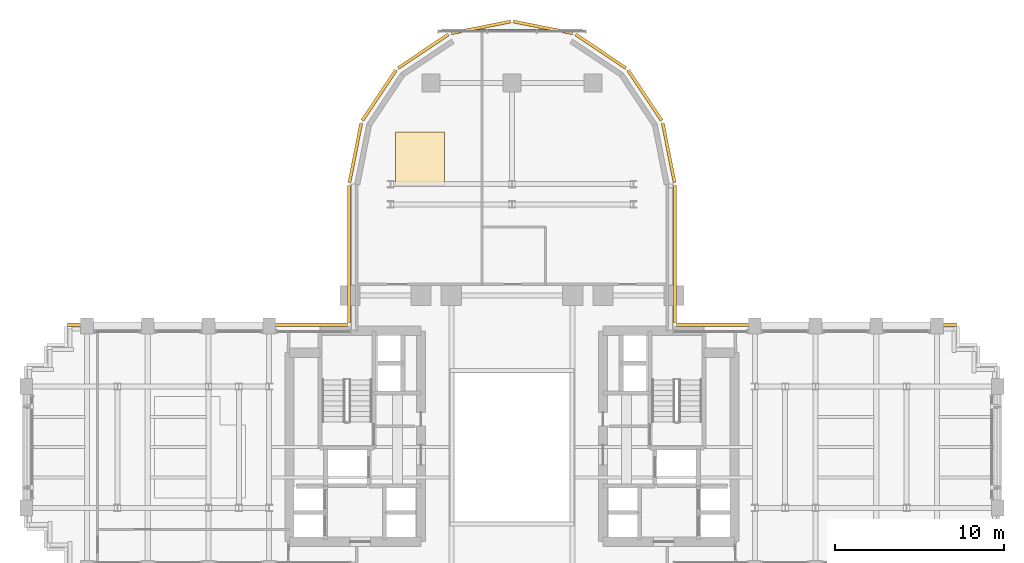
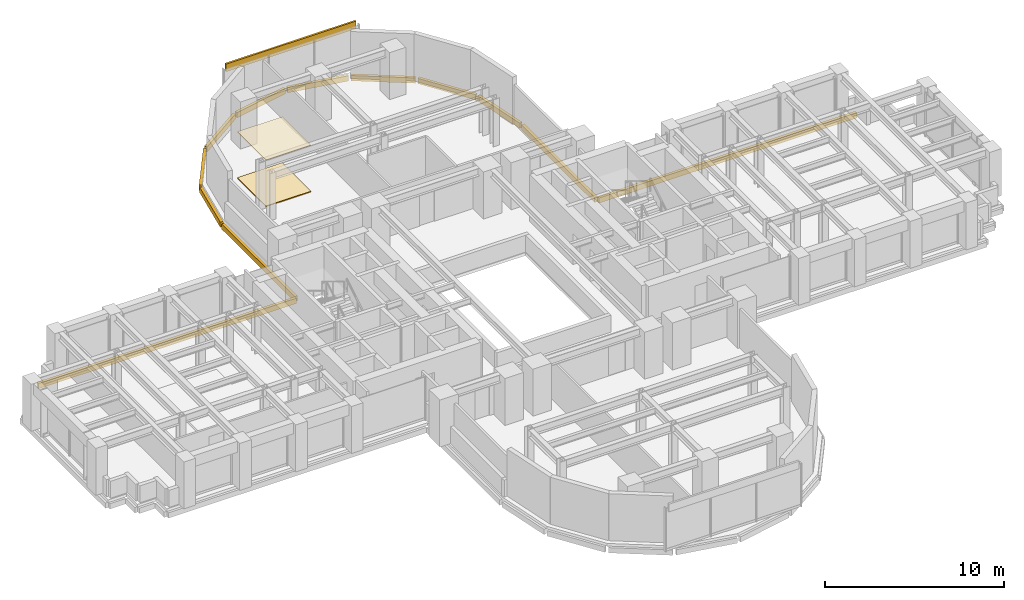
# One storey, part 16 of 16: 15 coverings.
"""IFC4 building model written with IfcOpenShell, lengths in metres."""

from ifc_helpers import new_model, si_unit, direction, frame, origin, origin_2d, place, context, subcontext, project, spatial, rectangle, extrude, source, transform, mapped, material, layer, layer_set, type_object, element, save


model = new_model("IFC4")

# Units and contexts
model_context = context("Model", 3, precision=1e-05, world=origin(), true_north=direction((0.0, 1.0)))
body_context = subcontext(model_context, "Body", "Model", "MODEL_VIEW")
ifc_project = project(units=[si_unit("LENGTHUNIT", "METRE"), si_unit("AREAUNIT", "SQUARE_METRE"), si_unit("VOLUMEUNIT", "CUBIC_METRE"), si_unit("PLANEANGLEUNIT", "RADIAN"), si_unit("MASSUNIT", "GRAM", prefix="KILO")], contexts=[model_context])

# Site, building, storey
site_placement = place(None, origin())
site = spatial("IfcSite", under=ifc_project, at=site_placement, CompositionType="ELEMENT")
building_placement = place(site_placement, origin())
building = spatial("IfcBuilding", under=site, at=building_placement, Name="Keilestroom Media Tower", CompositionType="ELEMENT")
storey_placement = place(building_placement, frame((0.0, 0.0, 30.60009765625)))
storey = spatial("IfcBuildingStorey", under=building, at=storey_placement, Name="L06", CompositionType="ELEMENT", Elevation=30.60009765625)

# Coverings
ifc_material_1 = material(Name="Precast concrete C40/50", Category="concrete")
ifc_layer_1 = layer(ifc_material_1, 0.1201171875)
ifc_layer_set_1 = layer_set([ifc_layer_1], Name="Precast concrete C40/50")
covering_type_1 = type_object("IfcCoveringType", Name="Exterior-Precast-Spandrel-Cladding-Panel-120", PredefinedType="CLADDING", material=ifc_layer_set_1)
shared_shape_1 = source(origin(), body_context, "Body", "SweptSolid", [
    extrude(rectangle(XDim=8.39990234375, YDim=0.1201171875, at=origin_2d()), origin(), (0.0, 0.0, 1.0), 0.52001953125),
])
covering_1_placement = place(storey_placement, frame((0.0, 24.719970703125, 2.68994140625), z_axis=(0.0, 0.0, 1.0), x_axis=(1.0, 0.0, 0.0)))
element("IfcCovering", 1, at=covering_1_placement, inside=storey, type_object=covering_type_1, Name="L06 Precast Spandrel Cladding N", PredefinedType="CLADDING", context=body_context, shape_type="MappedRepresentation", body=[
    mapped(shared_shape_1, transform((0.0, 0.0, 0.0), x_axis=(1.0, 0.0, 0.0), y_axis=(0.0, 1.0, 0.0), z_axis=(0.0, 0.0, 1.0), scale=1.0)),
])
shared_shape_2 = source(origin(), body_context, "Body", "SweptSolid", [
    extrude(rectangle(XDim=16.6201171875, YDim=0.179931640625, at=origin_2d()), origin(), (0.0, 0.0, 1.0), 0.360107421875),
])
for number, where, z_axis, x_axis, name in (
    (2, (-18.06005859375, 7.260009765625, -0.5400390625), (0.0, 0.0, 1.0), (1.0, 0.0, 0.0), "L06 Precast Slab-Edge Fascia Cornice 26"),
    (3, (18.06005859375, 7.260009765625, -0.5400390625), (0.0, 0.0, 1.0), (1.0, 0.0, 0.0), "L06 Precast Slab-Edge Fascia Cornice 37"),
):
    element("IfcCovering", number, at=place(storey_placement, frame(where, z_axis=z_axis, x_axis=x_axis)), inside=storey, type_object=covering_type_1, Name=name, PredefinedType="CLADDING", context=body_context, shape_type="MappedRepresentation", body=[
        mapped(shared_shape_2, transform((0.0, 0.0, 0.0), x_axis=(1.0, 0.0, 0.0), y_axis=(0.0, 1.0, 0.0), z_axis=(0.0, 0.0, 1.0), scale=1.0)),
    ])
shared_shape_3 = source(origin(), body_context, "Body", "SweptSolid", [
    extrude(rectangle(XDim=8.166015625, YDim=0.179931640625, at=origin_2d()), origin(), (0.0, 0.0, 1.0), 0.360107421875),
])
for number, where, z_axis, x_axis, name in (
    (4, (-9.659912109375, 11.43310546875, -0.5400390625), (0.0, 0.0, 1.0), (0.0, 1.0, 0.0), "L06 Precast Slab-Edge Fascia Cornice 27"),
    (5, (9.659912109375, 11.43310546875, -0.5400390625), (0.0, 0.0, 1.0), (0.0, -1.0, 0.0), "L06 Precast Slab-Edge Fascia Cornice 36"),
):
    element("IfcCovering", number, at=place(storey_placement, frame(where, z_axis=z_axis, x_axis=x_axis)), inside=storey, type_object=covering_type_1, Name=name, PredefinedType="CLADDING", context=body_context, shape_type="MappedRepresentation", body=[
        mapped(shared_shape_3, transform((0.0, 0.0, 0.0), x_axis=(1.0, 0.0, 0.0), y_axis=(0.0, 1.0, 0.0), z_axis=(0.0, 0.0, 1.0), scale=1.0)),
    ])
shared_shape_4 = source(origin(), body_context, "Body", "SweptSolid", [
    extrude(rectangle(XDim=3.58349609375, YDim=0.179931640625, at=origin_2d()), origin(), (0.0, 0.0, 1.0), 0.360107421875),
])
for number, where, z_axis, x_axis, name in (
    (6, (-9.29296875, 17.45166015625, -0.5400390625), (0.0, 0.0, 1.0), (0.195098880975, 0.980783577882, 0.0), "L06 Precast Slab-Edge Fascia Cornice 28"),
    (7, (9.29296875, 17.45166015625, -0.5400390625), (0.0, 0.0, 1.0), (0.195098880975, -0.980783577882, 0.0), "L06 Precast Slab-Edge Fascia Cornice 35"),
):
    element("IfcCovering", number, at=place(storey_placement, frame(where, z_axis=z_axis, x_axis=x_axis)), inside=storey, type_object=covering_type_1, Name=name, PredefinedType="CLADDING", context=body_context, shape_type="MappedRepresentation", body=[
        mapped(shared_shape_4, transform((0.0, 0.0, 0.0), x_axis=(1.0, 0.0, 0.0), y_axis=(0.0, 1.0, 0.0), z_axis=(0.0, 0.0, 1.0), scale=1.0)),
    ])
shared_shape_5 = source(origin(), body_context, "Body", "SweptSolid", [
    extrude(rectangle(XDim=3.589599609375, YDim=0.179931640625, at=origin_2d()), origin(), (0.0, 0.0, 1.0), 0.360107421875),
])
for number, where, z_axis, x_axis, name in (
    (8, (-7.878662109375, 20.8642578125, -0.5400390625), (0.0, 0.0, 1.0), (0.555574586577, 0.831466703332, 0.0), "L06 Precast Slab-Edge Fascia Cornice 29"),
    (9, (-5.264404296875, 23.478515625, -0.5400390625), (0.0, 0.0, 1.0), (0.831466703332, 0.555574586577, 0.0), "L06 Precast Slab-Edge Fascia Cornice 30"),
    (10, (-1.8486328125, 24.893310546875, -0.5400390625), (0.0, 0.0, 1.0), (0.980783577882, 0.195098880975, 0.0), "L06 Precast Slab-Edge Fascia Cornice 31"),
    (11, (1.8486328125, 24.893310546875, -0.5400390625), (0.0, 0.0, 1.0), (0.980783577882, -0.195098880975, 0.0), "L06 Precast Slab-Edge Fascia Cornice 32"),
    (12, (5.264404296875, 23.478515625, -0.5400390625), (0.0, 0.0, 1.0), (0.831466703332, -0.555574586577, 0.0), "L06 Precast Slab-Edge Fascia Cornice 33"),
    (13, (7.878662109375, 20.8642578125, -0.5400390625), (0.0, 0.0, 1.0), (0.555574586577, -0.831466703332, 0.0), "L06 Precast Slab-Edge Fascia Cornice 34"),
):
    element("IfcCovering", number, at=place(storey_placement, frame(where, z_axis=z_axis, x_axis=x_axis)), inside=storey, type_object=covering_type_1, Name=name, PredefinedType="CLADDING", context=body_context, shape_type="MappedRepresentation", body=[
        mapped(shared_shape_5, transform((0.0, 0.0, 0.0), x_axis=(1.0, 0.0, 0.0), y_axis=(0.0, 1.0, 0.0), z_axis=(0.0, 0.0, 1.0), scale=1.0)),
    ])
ifc_material_2 = material(Name="Mineral-Fibre Acoustic Ceiling Tile", Category="gypsum")
ifc_layer_2 = layer(ifc_material_2, 0.0400390625)
ifc_layer_set_2 = layer_set([ifc_layer_2], Name="Mineral-Fibre Acoustic Ceiling Tile")
covering_type_2 = type_object("IfcCoveringType", Name="Suspended-Acoustic-Ceiling-40", PredefinedType="CEILING", material=ifc_layer_set_2)
shared_shape_6 = source(origin(), body_context, "Body", "SweptSolid", [
    extrude(rectangle(XDim=2.904052734375, YDim=3.199951171875, at=origin_2d()), origin(), (0.0, 0.0, 1.0), 0.0400390625),
])
covering_2_placement = place(storey_placement, frame((-5.4599609375, 17.083984375, 3.159912109375), z_axis=(0.0, 0.0, 1.0), x_axis=(1.0, 0.0, 0.0)))
element("IfcCovering", 14, at=covering_2_placement, inside=storey, type_object=covering_type_2, Name="L06 Suspended Acoustic Ceiling 2", PredefinedType="CEILING", context=body_context, shape_type="MappedRepresentation", body=[
    mapped(shared_shape_6, transform((0.0, 0.0, 0.0), x_axis=(1.0, 0.0, 0.0), y_axis=(0.0, 1.0, 0.0), z_axis=(0.0, 0.0, 1.0), scale=1.0)),
])
ifc_material_3 = material(Name="Calcium-Sulphate Raised Access Floor", Category="concrete")
ifc_layer_3 = layer(ifc_material_3, 0.06005859375)
ifc_layer_set_3 = layer_set([ifc_layer_3], Name="Calcium-Sulphate Raised Access Floor")
covering_type_3 = type_object("IfcCoveringType", Name="Raised-Access-And-Acoustic-Flooring-60", PredefinedType="FLOORING", material=ifc_layer_set_3)
shared_shape_7 = source(origin(), body_context, "Body", "SweptSolid", [
    extrude(rectangle(XDim=2.904052734375, YDim=3.199951171875, at=origin_2d()), origin(), (0.0, 0.0, 1.0), 0.06005859375),
])
covering_3_placement = place(storey_placement, frame((-5.4599609375, 17.083984375, -0.000244140625), z_axis=(0.0, 0.0, 1.0), x_axis=(1.0, 0.0, 0.0)))
element("IfcCovering", 15, at=covering_3_placement, inside=storey, type_object=covering_type_3, Name="L06 Raised Access Flooring 2", PredefinedType="FLOORING", context=body_context, shape_type="MappedRepresentation", body=[
    mapped(shared_shape_7, transform((0.0, 0.0, 0.0), x_axis=(1.0, 0.0, 0.0), y_axis=(0.0, 1.0, 0.0), z_axis=(0.0, 0.0, 1.0), scale=1.0)),
])

save(model, "model.ifc")
